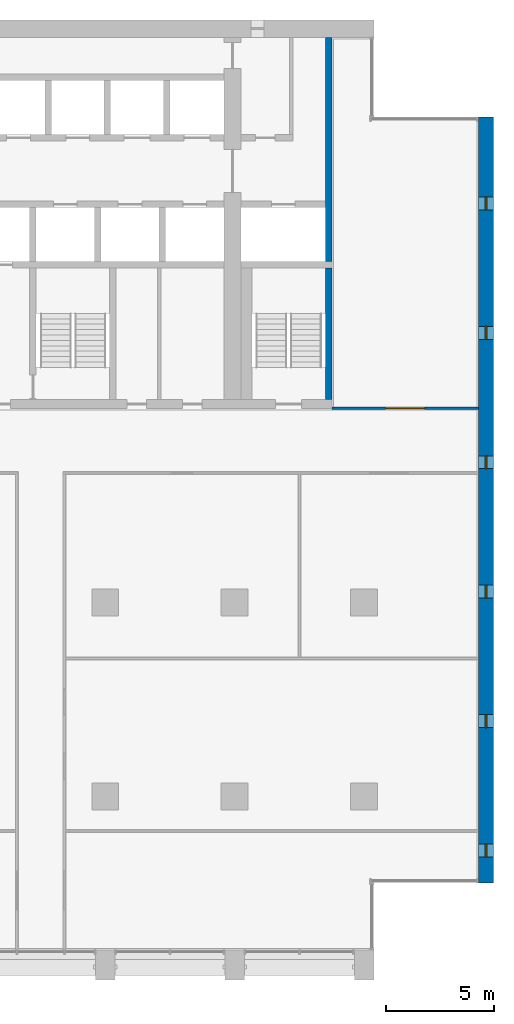
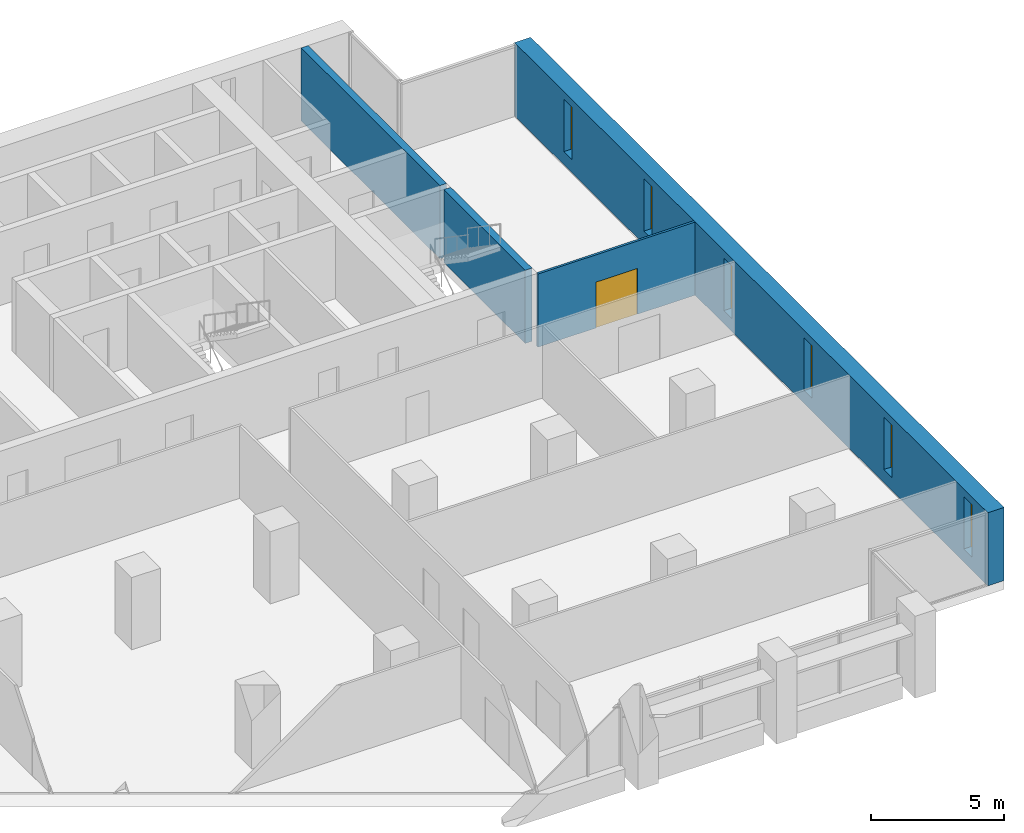
# One storey, part 12 of 16: 6 windows, 4 walls, 1 door, 7 openings.
"""IFC4 building model written with IfcOpenShell, lengths in metres."""

from ifc_helpers import new_model, si_unit, direction, frame, frame_2d, origin, place, context, subcontext, project, spatial, rectangle, extrude, material, layer, layer_set, type_object, element, fill, save


model = new_model("IFC4")

# Units and contexts
model_context = context("Model", 3, precision=1e-05, world=origin(), true_north=direction((0.0, 1.0)))
body_context = subcontext(model_context, "Body", "Model", "MODEL_VIEW")
ifc_project = project(units=[si_unit("LENGTHUNIT", "METRE"), si_unit("AREAUNIT", "SQUARE_METRE"), si_unit("VOLUMEUNIT", "CUBIC_METRE"), si_unit("PLANEANGLEUNIT", "RADIAN"), si_unit("MASSUNIT", "GRAM", prefix="KILO")], contexts=[model_context])

# Site, building, storey
site_placement = place(None, origin())
site = spatial("IfcSite", under=ifc_project, at=site_placement, CompositionType="ELEMENT")
building_placement = place(site_placement, origin())
building = spatial("IfcBuilding", under=site, at=building_placement, Name="Calvaro Tower", CompositionType="ELEMENT")
storey_placement = place(building_placement, frame((0.0, 0.0, 140.0)))
storey = spatial("IfcBuildingStorey", under=building, at=storey_placement, Name="L35", CompositionType="ELEMENT", Elevation=140.0)

# Walls
ifc_material_1 = material(Name="Concrete C60/75", Category="concrete")
ifc_layer_1 = layer(ifc_material_1, 0.300048828125)
ifc_layer_set_1 = layer_set([ifc_layer_1], Name="Concrete C60/75")
wall_type_1 = type_object("IfcWallType", Name="Core wall C60/75 300", PredefinedType="SHEAR", material=ifc_layer_set_1)
wall_1_placement = place(storey_placement, frame((64.35009765625, 34.800048828125, 0.0), z_axis=(0.0, 0.0, 1.0), x_axis=(0.0, 1.0, 0.0)))
element("IfcWall", 1, at=wall_1_placement, inside=storey, type_object=wall_type_1, Name="Core wall, boundary", PredefinedType="SHEAR", context=body_context, shape_type="SweptSolid", body=[
    extrude(rectangle(XDim=10.39990234375, YDim=0.300048828125, at=frame_2d((5.199951171875, 0.0))), origin(), (0.0, 0.0, 1.0), 3.35009765625),
])
wall_2_placement = place(storey_placement, frame((64.35009765625, 28.39990234375, 0.0), z_axis=(0.0, 0.0, 1.0), x_axis=(0.0, 1.0, 0.0)))
element("IfcWall", 2, at=wall_2_placement, inside=storey, type_object=wall_type_1, Name="Core wall, stair enclosure", PredefinedType="SHEAR", context=body_context, shape_type="SweptSolid", body=[
    extrude(rectangle(XDim=6.10009765625, YDim=0.300048828125, at=frame_2d((3.050048828125, 0.0))), origin(), (0.0, 0.0, 1.0), 3.35009765625),
])

# Wall, openings, windows
ifc_material_2 = material(Name="Concrete C60/75", Category="concrete")
ifc_layer_2 = layer(ifc_material_2, 0.699951171875)
ifc_layer_set_2 = layer_set([ifc_layer_2], Name="Concrete C60/75")
wall_type_2 = type_object("IfcWallType", Name="End wall 700 C60/75", PredefinedType="SHEAR", material=ifc_layer_set_2)
wall_3_placement = place(storey_placement, frame((71.64990234375, 6.0, 0.0), z_axis=(0.0, 0.0, 1.0), x_axis=(0.0, 1.0, 0.0)))
wall_3 = element("IfcWall", 3, at=wall_3_placement, inside=storey, type_object=wall_type_2, Name="End shear wall", PredefinedType="SHEAR", context=body_context, shape_type="SweptSolid", body=[
    extrude(rectangle(XDim=35.5, YDim=0.699951171875, at=frame_2d((17.75, 0.0))), origin(), (0.0, 0.0, 1.0), 3.35009765625),
])
opening_1_placement = place(wall_3_placement, frame((1.199951171875, 0.0, 0.60009765625)))
opening_1 = element("IfcOpeningElement", 4, at=opening_1_placement, cuts=wall_3, Name="Opening WE01", PredefinedType="OPENING", context=body_context, shape_type="SweptSolid", body=[
    extrude(rectangle(XDim=0.60009765625, YDim=2.39990234375, at=frame_2d((0.300048828125, 1.199951171875))), frame((0.0, 0.35986328125, 0.0), z_axis=(0.0, -1.0, 0.0), x_axis=(1.0, 0.0, 0.0)), (0.0, 0.0, 1.0), 0.719970703125),
])
opening_2_placement = place(wall_3_placement, frame((7.199951171875, 0.0, 0.60009765625)))
opening_2 = element("IfcOpeningElement", 5, at=opening_2_placement, cuts=wall_3, Name="Opening WE02", PredefinedType="OPENING", context=body_context, shape_type="SweptSolid", body=[
    extrude(rectangle(XDim=0.60009765625, YDim=2.39990234375, at=frame_2d((0.300048828125, 1.199951171875))), frame((0.0, 0.35986328125, 0.0), z_axis=(0.0, -1.0, 0.0), x_axis=(1.0, 0.0, 0.0)), (0.0, 0.0, 1.0), 0.719970703125),
])
opening_3_placement = place(wall_3_placement, frame((13.199951171875, 0.0, 0.60009765625)))
opening_3 = element("IfcOpeningElement", 6, at=opening_3_placement, cuts=wall_3, Name="Opening WE03", PredefinedType="OPENING", context=body_context, shape_type="SweptSolid", body=[
    extrude(rectangle(XDim=0.60009765625, YDim=2.39990234375, at=frame_2d((0.300048828125, 1.199951171875))), frame((0.0, 0.35986328125, 0.0), z_axis=(0.0, -1.0, 0.0), x_axis=(1.0, 0.0, 0.0)), (0.0, 0.0, 1.0), 0.719970703125),
])
opening_4_placement = place(wall_3_placement, frame((19.199951171875, 0.0, 0.60009765625)))
opening_4 = element("IfcOpeningElement", 7, at=opening_4_placement, cuts=wall_3, Name="Opening WE04", PredefinedType="OPENING", context=body_context, shape_type="SweptSolid", body=[
    extrude(rectangle(XDim=0.60009765625, YDim=2.39990234375, at=frame_2d((0.300048828125, 1.199951171875))), frame((0.0, 0.35986328125, 0.0), z_axis=(0.0, -1.0, 0.0), x_axis=(1.0, 0.0, 0.0)), (0.0, 0.0, 1.0), 0.719970703125),
])
opening_5_placement = place(wall_3_placement, frame((25.199951171875, 0.0, 0.60009765625)))
opening_5 = element("IfcOpeningElement", 8, at=opening_5_placement, cuts=wall_3, Name="Opening WE05", PredefinedType="OPENING", context=body_context, shape_type="SweptSolid", body=[
    extrude(rectangle(XDim=0.60009765625, YDim=2.39990234375, at=frame_2d((0.300048828125, 1.199951171875))), frame((0.0, 0.35986328125, 0.0), z_axis=(0.0, -1.0, 0.0), x_axis=(1.0, 0.0, 0.0)), (0.0, 0.0, 1.0), 0.719970703125),
])
opening_6_placement = place(wall_3_placement, frame((31.199951171875, 0.0, 0.60009765625)))
opening_6 = element("IfcOpeningElement", 9, at=opening_6_placement, cuts=wall_3, Name="Opening WE06", PredefinedType="OPENING", context=body_context, shape_type="SweptSolid", body=[
    extrude(rectangle(XDim=0.60009765625, YDim=2.39990234375, at=frame_2d((0.300048828125, 1.199951171875))), frame((0.0, 0.35986328125, 0.0), z_axis=(0.0, -1.0, 0.0), x_axis=(1.0, 0.0, 0.0)), (0.0, 0.0, 1.0), 0.719970703125),
])
ifc_material_3 = material(Name="Glass", Category="glass")
window_type = type_object("IfcWindowType", Name="Slit window 600 x 2400", PartitioningType="SINGLE_PANEL", PredefinedType="WINDOW", material=ifc_material_3)
window_1_placement = place(opening_1_placement, origin())
window_1 = element("IfcWindow", 10, at=window_1_placement, inside=storey, type_object=window_type, Name="Window WE01", OverallHeight=2.39990234375, OverallWidth=0.60009765625, PartitioningType="SINGLE_PANEL", PredefinedType="WINDOW", context=body_context, shape_type="SweptSolid", body=[
    extrude(rectangle(XDim=0.60009765625, YDim=2.39990234375, at=frame_2d((0.300048828125, 1.199951171875))), frame((0.0, 0.030029296875, 0.0), z_axis=(0.0, -1.0, 0.0), x_axis=(1.0, 0.0, 0.0)), (0.0, 0.0, 1.0), 0.06005859375),
])
fill(opening_1, window_1)
window_2_placement = place(opening_2_placement, origin())
window_2 = element("IfcWindow", 11, at=window_2_placement, inside=storey, type_object=window_type, Name="Window WE02", OverallHeight=2.39990234375, OverallWidth=0.60009765625, PartitioningType="SINGLE_PANEL", PredefinedType="WINDOW", context=body_context, shape_type="SweptSolid", body=[
    extrude(rectangle(XDim=0.60009765625, YDim=2.39990234375, at=frame_2d((0.300048828125, 1.199951171875))), frame((0.0, 0.030029296875, 0.0), z_axis=(0.0, -1.0, 0.0), x_axis=(1.0, 0.0, 0.0)), (0.0, 0.0, 1.0), 0.06005859375),
])
fill(opening_2, window_2)
window_3_placement = place(opening_3_placement, origin())
window_3 = element("IfcWindow", 12, at=window_3_placement, inside=storey, type_object=window_type, Name="Window WE03", OverallHeight=2.39990234375, OverallWidth=0.60009765625, PartitioningType="SINGLE_PANEL", PredefinedType="WINDOW", context=body_context, shape_type="SweptSolid", body=[
    extrude(rectangle(XDim=0.60009765625, YDim=2.39990234375, at=frame_2d((0.300048828125, 1.199951171875))), frame((0.0, 0.030029296875, 0.0), z_axis=(0.0, -1.0, 0.0), x_axis=(1.0, 0.0, 0.0)), (0.0, 0.0, 1.0), 0.06005859375),
])
fill(opening_3, window_3)
window_4_placement = place(opening_4_placement, origin())
window_4 = element("IfcWindow", 13, at=window_4_placement, inside=storey, type_object=window_type, Name="Window WE04", OverallHeight=2.39990234375, OverallWidth=0.60009765625, PartitioningType="SINGLE_PANEL", PredefinedType="WINDOW", context=body_context, shape_type="SweptSolid", body=[
    extrude(rectangle(XDim=0.60009765625, YDim=2.39990234375, at=frame_2d((0.300048828125, 1.199951171875))), frame((0.0, 0.030029296875, 0.0), z_axis=(0.0, -1.0, 0.0), x_axis=(1.0, 0.0, 0.0)), (0.0, 0.0, 1.0), 0.06005859375),
])
fill(opening_4, window_4)
window_5_placement = place(opening_5_placement, origin())
window_5 = element("IfcWindow", 14, at=window_5_placement, inside=storey, type_object=window_type, Name="Window WE05", OverallHeight=2.39990234375, OverallWidth=0.60009765625, PartitioningType="SINGLE_PANEL", PredefinedType="WINDOW", context=body_context, shape_type="SweptSolid", body=[
    extrude(rectangle(XDim=0.60009765625, YDim=2.39990234375, at=frame_2d((0.300048828125, 1.199951171875))), frame((0.0, 0.030029296875, 0.0), z_axis=(0.0, -1.0, 0.0), x_axis=(1.0, 0.0, 0.0)), (0.0, 0.0, 1.0), 0.06005859375),
])
fill(opening_5, window_5)
window_6_placement = place(opening_6_placement, origin())
window_6 = element("IfcWindow", 15, at=window_6_placement, inside=storey, type_object=window_type, Name="Window WE06", OverallHeight=2.39990234375, OverallWidth=0.60009765625, PartitioningType="SINGLE_PANEL", PredefinedType="WINDOW", context=body_context, shape_type="SweptSolid", body=[
    extrude(rectangle(XDim=0.60009765625, YDim=2.39990234375, at=frame_2d((0.300048828125, 1.199951171875))), frame((0.0, 0.030029296875, 0.0), z_axis=(0.0, -1.0, 0.0), x_axis=(1.0, 0.0, 0.0)), (0.0, 0.0, 1.0), 0.06005859375),
])
fill(opening_6, window_6)

# Wall, opening, door
ifc_material_4 = material(Name="Plasterboard on steel studs", Category="steel")
ifc_layer_3 = layer(ifc_material_4, 0.10009765625)
ifc_layer_set_3 = layer_set([ifc_layer_3], Name="Plasterboard on steel studs")
wall_type_3 = type_object("IfcWallType", Name="Partition 100", PredefinedType="PARTITIONING", material=ifc_layer_set_3)
wall_4_placement = place(storey_placement, frame((64.5, 28.0, 0.0), z_axis=(0.0, 0.0, 1.0), x_axis=(1.0, 0.0, 0.0)))
wall_4 = element("IfcWall", 16, at=wall_4_placement, inside=storey, type_object=wall_type_3, Name="Partition T21.W010", PredefinedType="PARTITIONING", context=body_context, shape_type="SweptSolid", body=[
    extrude(rectangle(XDim=6.800048828125, YDim=0.10009765625, at=frame_2d((3.39990234375, 0.0))), origin(), (0.0, 0.0, 1.0), 3.35009765625),
])
opening_7_placement = place(wall_4_placement, frame((2.5, 0.0, 0.0)))
opening_7 = element("IfcOpeningElement", 17, at=opening_7_placement, cuts=wall_4, Name="Opening T21.015", PredefinedType="OPENING", context=body_context, shape_type="SweptSolid", body=[
    extrude(rectangle(XDim=1.800048828125, YDim=2.10009765625, at=frame_2d((0.89990234375, 1.050048828125))), frame((0.0, 0.06005859375, 0.0), z_axis=(0.0, -1.0, 0.0), x_axis=(1.0, 0.0, 0.0)), (0.0, 0.0, 1.0), 0.1201171875),
])
ifc_material_5 = material(Name="Timber", Category="wood")
door_type = type_object("IfcDoorType", Name="Internal double door 1800 x 2100", OperationType="DOUBLE_DOOR_SINGLE_SWING", PredefinedType="DOOR", material=ifc_material_5)
door_placement = place(opening_7_placement, origin())
door = element("IfcDoor", 18, at=door_placement, inside=storey, type_object=door_type, Name="Door T21.015", OperationType="DOUBLE_DOOR_SINGLE_SWING", OverallHeight=2.10009765625, OverallWidth=1.800048828125, PredefinedType="DOOR", context=body_context, shape_type="SweptSolid", body=[
    extrude(rectangle(XDim=1.800048828125, YDim=2.10009765625, at=frame_2d((0.89990234375, 1.050048828125))), frame((0.0, 0.02490234375, 0.0), z_axis=(0.0, -1.0, 0.0), x_axis=(1.0, 0.0, 0.0)), (0.0, 0.0, 1.0), 0.050048828125),
])
fill(opening_7, door)

save(model, "model.ifc")
